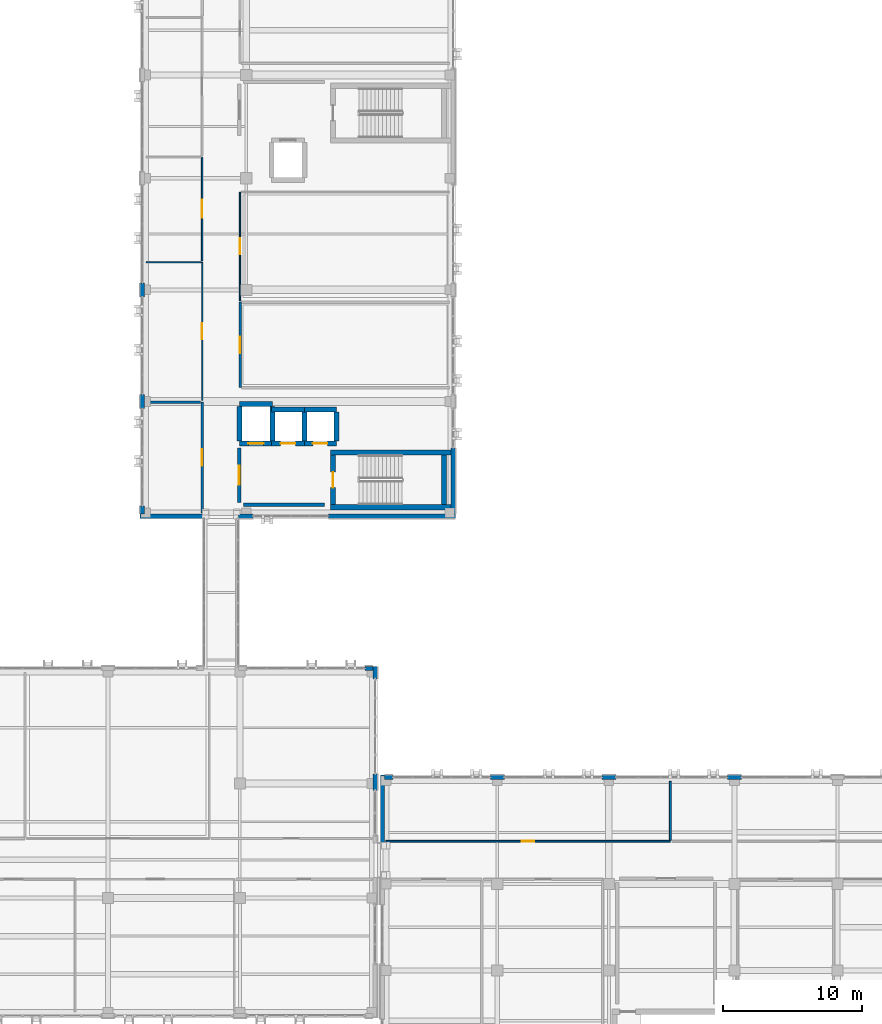
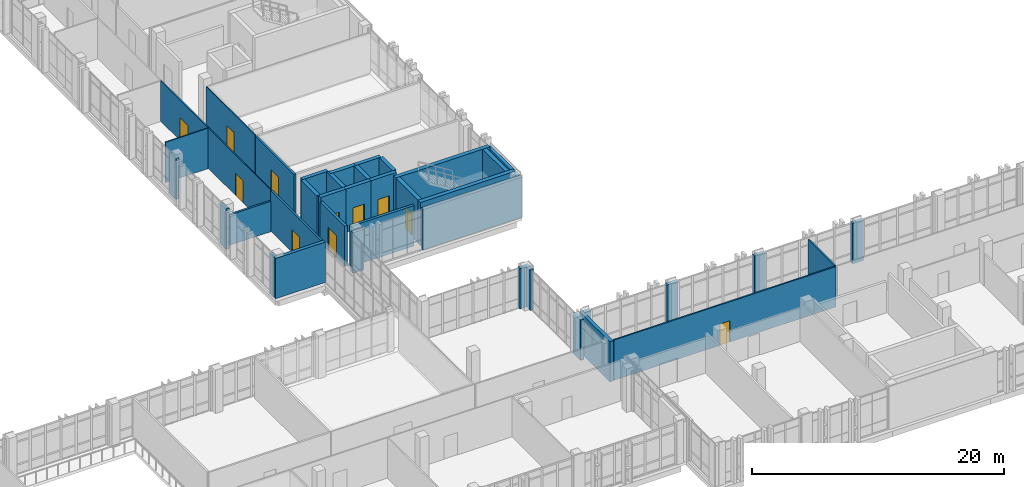
# One storey, part 157 of 193: 40 walls, 11 doors, 11 openings.
"""IFC4 building model written with IfcOpenShell, lengths in metres."""

from ifc_helpers import new_model, si_unit, direction, frame, frame_2d, origin, place, context, subcontext, project, spatial, rectangle, extrude, material, layer, layer_set, type_object, element, fill, save


model = new_model("IFC4")

# Units and contexts
model_context = context("Model", 3, precision=1e-05, world=origin(), true_north=direction((0.0, 1.0)))
body_context = subcontext(model_context, "Body", "Model", "MODEL_VIEW")
ifc_project = project(units=[si_unit("LENGTHUNIT", "METRE"), si_unit("AREAUNIT", "SQUARE_METRE"), si_unit("VOLUMEUNIT", "CUBIC_METRE"), si_unit("PLANEANGLEUNIT", "RADIAN"), si_unit("MASSUNIT", "GRAM", prefix="KILO")], contexts=[model_context])

# Site, building, storey
site_placement = place(None, origin())
site = spatial("IfcSite", under=ifc_project, at=site_placement, CompositionType="ELEMENT")
building_placement = place(site_placement, origin())
building = spatial("IfcBuilding", under=site, at=building_placement, Name="Qalavern Law Courts", CompositionType="ELEMENT")
storey_placement = place(building_placement, frame((0.0, 0.0, 10.199951171875)))
storey = spatial("IfcBuildingStorey", under=building, at=storey_placement, Name="L02", CompositionType="ELEMENT", Elevation=10.199951171875)

# Walls
ifc_material_1 = material(Name="Concrete C40/50", Category="concrete")
ifc_layer_1 = layer(ifc_material_1, 0.31005859375)
ifc_layer_set_1 = layer_set([ifc_layer_1], Name="Concrete C40/50")
wall_type_1 = type_object("IfcWallType", Name="ENV-EW-310", PredefinedType="SOLIDWALL", material=ifc_layer_set_1)
wall_1_placement = place(storey_placement, frame((101.044921875, 21.5, 0.0), z_axis=(0.0, 0.0, 1.0), x_axis=(0.0, 1.0, 0.0)))
element("IfcWall", 1, at=wall_1_placement, inside=storey, type_object=wall_type_1, Name="V2 exterior pier wall L02 east 2", PredefinedType="SOLIDWALL", context=body_context, shape_type="SweptSolid", body=[
    extrude(rectangle(XDim=1.199951171875, YDim=0.31005859375, at=frame_2d((0.60009765625, 0.0))), origin(), (0.0, 0.0, 1.0), 3.9150390625),
])
wall_2_placement = place(storey_placement, frame((101.044921875, 29.5, 0.0), z_axis=(0.0, 0.0, 1.0), x_axis=(0.0, 1.0, 0.0)))
element("IfcWall", 2, at=wall_2_placement, inside=storey, type_object=wall_type_1, Name="V2 exterior pier wall L02 east 3", PredefinedType="SOLIDWALL", context=body_context, shape_type="SweptSolid", body=[
    extrude(rectangle(XDim=0.89990234375, YDim=0.31005859375, at=frame_2d((0.449951171875, 0.0))), origin(), (0.0, 0.0, 1.0), 3.9150390625),
])
wall_3_placement = place(storey_placement, frame((100.89501953125, 30.2451171875, 0.0), z_axis=(0.0, 0.0, 1.0), x_axis=(-1.0, 0.0, 0.0)))
element("IfcWall", 3, at=wall_3_placement, inside=storey, type_object=wall_type_1, Name="V2 exterior pier wall L02 north 1", PredefinedType="SOLIDWALL", context=body_context, shape_type="SweptSolid", body=[
    extrude(rectangle(XDim=0.594970703125, YDim=0.31005859375, at=frame_2d((0.29736328125, 0.0))), origin(), (0.0, 0.0, 1.0), 3.9150390625),
])
wall_4_placement = place(storey_placement, frame((84.199951171875, 41.175048828125, 0.0), z_axis=(0.0, 0.0, 1.0), x_axis=(1.0, 0.0, 0.0)))
element("IfcWall", 4, at=wall_4_placement, inside=storey, type_object=wall_type_1, Name="V4 exterior wall L02 south 1", PredefinedType="SOLIDWALL", context=body_context, shape_type="SweptSolid", body=[
    extrude(rectangle(XDim=4.550048828125, YDim=0.31005859375, at=frame_2d((2.27490234375, 0.0))), origin(), (0.0, 0.0, 1.0), 3.9150390625),
])
wall_5_placement = place(storey_placement, frame((91.25, 41.175048828125, 0.0), z_axis=(0.0, 0.0, 1.0), x_axis=(1.0, 0.0, 0.0)))
element("IfcWall", 5, at=wall_5_placement, inside=storey, type_object=wall_type_1, Name="V4 exterior pier wall L02 south 1", PredefinedType="SOLIDWALL", context=body_context, shape_type="SweptSolid", body=[
    extrude(rectangle(XDim=1.050048828125, YDim=0.31005859375, at=frame_2d((0.52490234375, 0.0))), origin(), (0.0, 0.0, 1.0), 3.9150390625),
])
wall_6_placement = place(storey_placement, frame((97.699951171875, 41.175048828125, 0.0), z_axis=(0.0, 0.0, 1.0), x_axis=(1.0, 0.0, 0.0)))
element("IfcWall", 6, at=wall_6_placement, inside=storey, type_object=wall_type_1, Name="V4 exterior pier wall L02 south 2", PredefinedType="SOLIDWALL", context=body_context, shape_type="SweptSolid", body=[
    extrude(rectangle(XDim=9.10009765625, YDim=0.31005859375, at=frame_2d((4.550048828125, 0.0))), origin(), (0.0, 0.0, 1.0), 3.9150390625),
])
wall_7_placement = place(storey_placement, frame((106.64501953125, 41.324951171875, 0.0), z_axis=(0.0, 0.0, 1.0), x_axis=(0.0, 1.0, 0.0)))
element("IfcWall", 7, at=wall_7_placement, inside=storey, type_object=wall_type_1, Name="V4 exterior pier wall L02 east 1", PredefinedType="SOLIDWALL", context=body_context, shape_type="SweptSolid", body=[
    extrude(rectangle(XDim=4.72509765625, YDim=0.31005859375, at=frame_2d((2.362548828125, 0.0))), origin(), (0.0, 0.0, 1.0), 3.9150390625),
])
for number, where, z_axis, x_axis, name in (
    (8, (84.35498046875, 57.89990234375, 0.0), (0.0, 0.0, 1.0), (0.0, -1.0, 0.0), "V4 exterior pier wall L02 west 5"),
    (9, (84.35498046875, 49.89990234375, 0.0), (0.0, 0.0, 1.0), (0.0, -1.0, 0.0), "V4 exterior pier wall L02 west 6"),
):
    element("IfcWall", number, at=place(storey_placement, frame(where, z_axis=z_axis, x_axis=x_axis)), inside=storey, type_object=wall_type_1, Name=name, PredefinedType="SOLIDWALL", context=body_context, shape_type="SweptSolid", body=[
        extrude(rectangle(XDim=1.0, YDim=0.31005859375, at=frame_2d((0.5, 0.0))), origin(), (0.0, 0.0, 1.0), 3.9150390625),
    ])
wall_8_placement = place(storey_placement, frame((84.35498046875, 41.919921875, 0.0), z_axis=(0.0, 0.0, 1.0), x_axis=(0.0, -1.0, 0.0)))
element("IfcWall", 10, at=wall_8_placement, inside=storey, type_object=wall_type_1, Name="V4 exterior pier wall L02 west 7", PredefinedType="SOLIDWALL", context=body_context, shape_type="SweptSolid", body=[
    extrude(rectangle(XDim=0.594970703125, YDim=0.31005859375, at=frame_2d((0.29736328125, 0.0))), origin(), (0.0, 0.0, 1.0), 3.9150390625),
])
for number, where, z_axis, x_axis, name in (
    (11, (127.300048828125, 22.445068359375, 0.0), (0.0, 0.0, 1.0), (-1.0, 0.0, 0.0), "V6 exterior pier wall L02 north 6"),
    (12, (118.300048828125, 22.445068359375, 0.0), (0.0, 0.0, 1.0), (-1.0, 0.0, 0.0), "V6 exterior pier wall L02 north 7"),
    (13, (110.300048828125, 22.445068359375, 0.0), (0.0, 0.0, 1.0), (-1.0, 0.0, 0.0), "V6 exterior pier wall L02 north 8"),
):
    element("IfcWall", number, at=place(storey_placement, frame(where, z_axis=z_axis, x_axis=x_axis)), inside=storey, type_object=wall_type_1, Name=name, PredefinedType="SOLIDWALL", context=body_context, shape_type="SweptSolid", body=[
        extrude(rectangle(XDim=1.0, YDim=0.31005859375, at=frame_2d((0.5, 0.0))), origin(), (0.0, 0.0, 1.0), 3.9150390625),
    ])
wall_9_placement = place(storey_placement, frame((102.320068359375, 22.445068359375, 0.0), z_axis=(0.0, 0.0, 1.0), x_axis=(-1.0, 0.0, 0.0)))
element("IfcWall", 14, at=wall_9_placement, inside=storey, type_object=wall_type_1, Name="V6 exterior pier wall L02 north 9", PredefinedType="SOLIDWALL", context=body_context, shape_type="SweptSolid", body=[
    extrude(rectangle(XDim=0.594970703125, YDim=0.31005859375, at=frame_2d((0.29736328125, 0.0))), origin(), (0.0, 0.0, 1.0), 3.9150390625),
])
wall_10_placement = place(storey_placement, frame((101.574951171875, 22.60009765625, 0.0), z_axis=(0.0, 0.0, 1.0), x_axis=(0.0, -1.0, 0.0)))
element("IfcWall", 15, at=wall_10_placement, inside=storey, type_object=wall_type_1, Name="V6 exterior wall L02 west 1", PredefinedType="SOLIDWALL", context=body_context, shape_type="SweptSolid", body=[
    extrude(rectangle(XDim=4.85009765625, YDim=0.31005859375, at=frame_2d((2.425048828125, 0.0))), origin(), (0.0, 0.0, 1.0), 3.9150390625),
])
ifc_material_2 = material(Name="Concrete C45/55", Category="concrete")
ifc_layer_2 = layer(ifc_material_2, 0.375)
ifc_layer_set_2 = layer_set([ifc_layer_2], Name="Concrete C45/55")
wall_type_2 = type_object("IfcWallType", Name="INT-CW-375", PredefinedType="SHEAR", material=ifc_layer_set_2)
wall_11_placement = place(storey_placement, frame((97.824951171875, 41.8125, 0.0), z_axis=(0.0, 0.0, 1.0), x_axis=(1.0, 0.0, 0.0)))
element("IfcWall", 16, at=wall_11_placement, inside=storey, type_object=wall_type_2, Name="Core K1A stair shear wall L02 south", PredefinedType="SHEAR", context=body_context, shape_type="SweptSolid", body=[
    extrude(rectangle(XDim=8.662109375, YDim=0.375, at=frame_2d((4.3310546875, 0.0))), origin(), (0.0, 0.0, 1.0), 4.199951171875),
])
wall_12_placement = place(storey_placement, frame((105.987548828125, 42.0, 0.0), z_axis=(0.0, 0.0, 1.0), x_axis=(0.0, 1.0, 0.0)))
element("IfcWall", 17, at=wall_12_placement, inside=storey, type_object=wall_type_2, Name="Core K1A stair shear wall L02 east", PredefinedType="SHEAR", context=body_context, shape_type="SweptSolid", body=[
    extrude(rectangle(XDim=3.550048828125, YDim=0.375, at=frame_2d((1.77490234375, 0.0))), origin(), (0.0, 0.0, 1.0), 4.199951171875),
])
wall_13_placement = place(storey_placement, frame((106.487060546875, 45.737548828125, 0.0), z_axis=(0.0, 0.0, 1.0), x_axis=(-1.0, 0.0, 0.0)))
element("IfcWall", 18, at=wall_13_placement, inside=storey, type_object=wall_type_2, Name="Core K1A stair shear wall L02 north", PredefinedType="SHEAR", context=body_context, shape_type="SweptSolid", body=[
    extrude(rectangle(XDim=8.662109375, YDim=0.375, at=frame_2d((4.3310546875, 0.0))), origin(), (0.0, 0.0, 1.0), 4.199951171875),
])

# Wall, opening, door
wall_14_placement = place(storey_placement, frame((98.012451171875, 45.550048828125, 0.0), z_axis=(0.0, 0.0, 1.0), x_axis=(0.0, -1.0, 0.0)))
wall_14 = element("IfcWall", 19, at=wall_14_placement, inside=storey, type_object=wall_type_2, Name="Core K1A stair shear wall L02 west", PredefinedType="SHEAR", context=body_context, shape_type="SweptSolid", body=[
    extrude(rectangle(XDim=3.550048828125, YDim=0.375, at=frame_2d((1.77490234375, 0.0))), origin(), (0.0, 0.0, 1.0), 4.199951171875),
])
opening_1_placement = place(wall_14_placement, frame((1.22509765625, 0.0, 0.0)))
opening_1 = element("IfcOpeningElement", 20, at=opening_1_placement, cuts=wall_14, Name="Opening L02-D009", PredefinedType="OPENING", context=body_context, shape_type="SweptSolid", body=[
    extrude(rectangle(XDim=1.10009765625, YDim=2.14990234375, at=frame_2d((0.550048828125, 1.074951171875))), frame((0.0, 0.202392578125, 0.0), z_axis=(0.0, -1.0, 0.0), x_axis=(1.0, 0.0, 0.0)), (0.0, 0.0, 1.0), 0.40478515625),
])
ifc_material_3 = material(Name="Steel fire-rated stair enclosure door", Category="steel")
door_type_1 = type_object("IfcDoorType", Name="INT-FD-1100x2150", OperationType="NOTDEFINED", PredefinedType="DOOR", material=ifc_material_3)
door_1_placement = place(opening_1_placement, frame((1.10009765625, 0.0, 0.0), z_axis=(0.0, 0.0, 1.0), x_axis=(-1.0, 0.0, 0.0)))
door_1 = element("IfcDoor", 21, at=door_1_placement, inside=storey, type_object=door_type_1, Name="Stair K1A fire door L02", OperationType="SINGLE_SWING_LEFT", OverallHeight=2.14990234375, OverallWidth=1.10009765625, PredefinedType="DOOR", context=body_context, shape_type="SweptSolid", body=[
    extrude(rectangle(XDim=1.10009765625, YDim=2.14990234375, at=frame_2d((0.550048828125, 1.074951171875))), frame((0.0, 0.02490234375, 0.0), z_axis=(0.0, -1.0, 0.0), x_axis=(1.0, 0.0, 0.0)), (0.0, 0.0, 1.0), 0.050048828125),
])
fill(opening_1, door_1)

ifc_layer_3 = layer(ifc_material_1, 0.2451171875)
ifc_layer_set_3 = layer_set([ifc_layer_3], Name="Concrete C40/50")
wall_type_3 = type_object("IfcWallType", Name="INT-FW-245", PredefinedType="PARTITIONING", material=ifc_layer_set_3)
wall_15_placement = place(storey_placement, frame((91.300048828125, 42.14990234375, 0.0), z_axis=(0.0, 0.0, 1.0), x_axis=(0.0, 1.0, 0.0)))
wall_15 = element("IfcWall", 22, at=wall_15_placement, inside=storey, type_object=wall_type_3, Name="Core K1A firefighting/stair lobby fire wall L02", PredefinedType="PARTITIONING", context=body_context, shape_type="SweptSolid", body=[
    extrude(rectangle(XDim=3.900146484375, YDim=0.2451171875, at=frame_2d((1.9501953125, 0.0))), origin(), (0.0, 0.0, 1.0), 3.9150390625),
])
opening_2_placement = place(wall_15_placement, frame((1.27490234375, 0.0, 0.0)))
opening_2 = element("IfcOpeningElement", 23, at=opening_2_placement, cuts=wall_15, Name="Opening L02-D010", PredefinedType="OPENING", context=body_context, shape_type="SweptSolid", body=[
    extrude(rectangle(XDim=1.35009765625, YDim=2.199951171875, at=frame_2d((0.675048828125, 1.10009765625))), frame((0.0, 0.137451171875, 0.0), z_axis=(0.0, -1.0, 0.0), x_axis=(1.0, 0.0, 0.0)), (0.0, 0.0, 1.0), 0.27490234375),
])
ifc_material_4 = material(Name="Steel fire-rated frame and acoustic timber leaves", Category="steel")
door_type_2 = type_object("IfcDoorType", Name="INT-FD-1350x2200", OperationType="DOUBLE_DOOR_SINGLE_SWING", PredefinedType="DOOR", material=ifc_material_4)
door_2_placement = place(opening_2_placement, origin())
door_2 = element("IfcDoor", 24, at=door_2_placement, inside=storey, type_object=door_type_2, Name="Core K1A lobby fire door L02", OperationType="DOUBLE_DOOR_SINGLE_SWING", OverallHeight=2.199951171875, OverallWidth=1.35009765625, PredefinedType="DOOR", context=body_context, shape_type="SweptSolid", body=[
    extrude(rectangle(XDim=1.35009765625, YDim=2.199951171875, at=frame_2d((0.675048828125, 1.10009765625))), frame((0.0, 0.02490234375, 0.0), z_axis=(0.0, -1.0, 0.0), x_axis=(1.0, 0.0, 0.0)), (0.0, 0.0, 1.0), 0.050048828125),
])
fill(opening_2, door_2)

# Wall
wall_16_placement = place(storey_placement, frame((91.60009765625, 42.0, 0.0), z_axis=(0.0, 0.0, 1.0), x_axis=(1.0, 0.0, 0.0)))
element("IfcWall", 25, at=wall_16_placement, inside=storey, type_object=wall_type_3, Name="Core K1A lobby return wall L02 south", PredefinedType="PARTITIONING", context=body_context, shape_type="SweptSolid", body=[
    extrude(rectangle(XDim=5.7998046875, YDim=0.2451171875, at=frame_2d((2.89990234375, 0.0))), origin(), (0.0, 0.0, 1.0), 3.9150390625),
])

# Wall, opening, door
ifc_material_5 = material(Name="Gypsum shaft/chase partition")
ifc_layer_4 = layer(ifc_material_5, 0.092041015625)
ifc_layer_set_4 = layer_set([ifc_layer_4], Name="Gypsum shaft/chase partition")
wall_type_4 = type_object("IfcWallType", Name="INT-PW-092", PredefinedType="PARTITIONING", material=ifc_layer_set_4)
wall_17_placement = place(storey_placement, frame((88.639892578125, 49.47509765625, 0.0), z_axis=(0.0, 0.0, 1.0), x_axis=(0.0, 1.0, 0.0)))
wall_17 = element("IfcWall", 26, at=wall_17_placement, inside=storey, type_object=wall_type_4, Name="Civil Courtroom corridor partition L02", PredefinedType="PARTITIONING", context=body_context, shape_type="SweptSolid", body=[
    extrude(rectangle(XDim=9.89697265625, YDim=0.092041015625, at=frame_2d((4.948486328125, 0.0))), origin(), (0.0, 0.0, 1.0), 3.9150390625),
])
opening_3_placement = place(wall_17_placement, frame((4.37353515625, 0.0, 0.0)))
opening_3 = element("IfcOpeningElement", 27, at=opening_3_placement, cuts=wall_17, Name="Opening L02-D270", PredefinedType="OPENING", context=body_context, shape_type="SweptSolid", body=[
    extrude(rectangle(XDim=1.14990234375, YDim=2.14990234375, at=frame_2d((0.574951171875, 1.074951171875))), frame((0.0, 0.06103515625, 0.0), z_axis=(0.0, -1.0, 0.0), x_axis=(1.0, 0.0, 0.0)), (0.0, 0.0, 1.0), 0.121826171875),
])
ifc_material_6 = material(Name="Acoustic oak Witness Waiting door")
door_type_3 = type_object("IfcDoorType", Name="INT-ID-1150x2150", OperationType="NOTDEFINED", PredefinedType="DOOR", material=ifc_material_6)
door_3_placement = place(opening_3_placement, frame((1.14990234375, 0.0, 0.0), z_axis=(0.0, 0.0, 1.0), x_axis=(-1.0, 0.0, 0.0)))
door_3 = element("IfcDoor", 28, at=door_3_placement, inside=storey, type_object=door_type_3, Name="Civil Courtroom door L02", OperationType="SINGLE_SWING_LEFT", OverallHeight=2.14990234375, OverallWidth=1.14990234375, PredefinedType="DOOR", context=body_context, shape_type="SweptSolid", body=[
    extrude(rectangle(XDim=1.14990234375, YDim=2.14990234375, at=frame_2d((0.574951171875, 1.074951171875))), frame((0.0, 0.02490234375, 0.0), z_axis=(0.0, -1.0, 0.0), x_axis=(1.0, 0.0, 0.0)), (0.0, 0.0, 1.0), 0.050048828125),
])
fill(opening_3, door_3)

# Wall
wall_18_placement = place(storey_placement, frame((84.639892578125, 59.3720703125, 0.0), z_axis=(0.0, 0.0, 1.0), x_axis=(1.0, 0.0, 0.0)))
element("IfcWall", 29, at=wall_18_placement, inside=storey, type_object=wall_type_4, Name="Civil Courtroom cross partition L02 north", PredefinedType="PARTITIONING", context=body_context, shape_type="SweptSolid", body=[
    extrude(rectangle(XDim=3.93408203125, YDim=0.092041015625, at=frame_2d((1.967041015625, 0.0))), origin(), (0.0, 0.0, 1.0), 3.9150390625),
])

# Wall, opening, door
wall_19_placement = place(storey_placement, frame((91.360107421875, 56.635009765625, 0.0), z_axis=(0.0, 0.0, 1.0), x_axis=(0.0, 1.0, 0.0)))
wall_19 = element("IfcWall", 30, at=wall_19_placement, inside=storey, type_object=wall_type_4, Name="Civil Courtroom corridor partition L02", PredefinedType="PARTITIONING", context=body_context, shape_type="SweptSolid", body=[
    extrude(rectangle(XDim=7.77490234375, YDim=0.092041015625, at=frame_2d((3.887451171875, 0.0))), origin(), (0.0, 0.0, 1.0), 3.9150390625),
])
opening_4_placement = place(wall_19_placement, frame((3.3125, 0.0, 0.0)))
opening_4 = element("IfcOpeningElement", 31, at=opening_4_placement, cuts=wall_19, Name="Opening L02-D275", PredefinedType="OPENING", context=body_context, shape_type="SweptSolid", body=[
    extrude(rectangle(XDim=1.14990234375, YDim=2.14990234375, at=frame_2d((0.574951171875, 1.074951171875))), frame((0.0, 0.06103515625, 0.0), z_axis=(0.0, -1.0, 0.0), x_axis=(1.0, 0.0, 0.0)), (0.0, 0.0, 1.0), 0.121826171875),
])
door_4_placement = place(opening_4_placement, origin())
door_4 = element("IfcDoor", 32, at=door_4_placement, inside=storey, type_object=door_type_3, Name="Civil Courtroom door L02", OperationType="SINGLE_SWING_RIGHT", OverallHeight=2.14990234375, OverallWidth=1.14990234375, PredefinedType="DOOR", context=body_context, shape_type="SweptSolid", body=[
    extrude(rectangle(XDim=1.14990234375, YDim=2.14990234375, at=frame_2d((0.574951171875, 1.074951171875))), frame((0.0, 0.02490234375, 0.0), z_axis=(0.0, -1.0, 0.0), x_axis=(1.0, 0.0, 0.0)), (0.0, 0.0, 1.0), 0.050048828125),
])
fill(opening_4, door_4)

ifc_material_7 = material(Name="Gypsum stud partition")
ifc_layer_5 = layer(ifc_material_7, 0.112060546875)
ifc_layer_set_5 = layer_set([ifc_layer_5], Name="Gypsum stud partition")
wall_type_5 = type_object("IfcWallType", Name="INT-PW-112", PredefinedType="PARTITIONING", material=ifc_layer_set_5)
wall_20_placement = place(storey_placement, frame((88.639892578125, 59.491943359375, 0.0), z_axis=(0.0, 0.0, 1.0), x_axis=(0.0, 1.0, 0.0)))
wall_20 = element("IfcWall", 33, at=wall_20_placement, inside=storey, type_object=wall_type_5, Name="Jury Deliberation Suite corridor partition L02", PredefinedType="PARTITIONING", context=body_context, shape_type="SweptSolid", body=[
    extrude(rectangle(XDim=7.423095703125, YDim=0.112060546875, at=frame_2d((3.71142578125, 0.0))), origin(), (0.0, 0.0, 1.0), 3.9150390625),
])
opening_5_placement = place(wall_20_placement, frame((3.071533203125, 0.0, 0.0)))
opening_5 = element("IfcOpeningElement", 34, at=opening_5_placement, cuts=wall_20, Name="Opening L02-D271", PredefinedType="OPENING", context=body_context, shape_type="SweptSolid", body=[
    extrude(rectangle(XDim=1.280029296875, YDim=2.179931640625, at=frame_2d((0.64013671875, 1.08984375))), frame((0.0, 0.07080078125, 0.0), z_axis=(0.0, -1.0, 0.0), x_axis=(1.0, 0.0, 0.0)), (0.0, 0.0, 1.0), 0.141845703125),
])
ifc_material_8 = material(Name="Wide oak Judicial Conference door")
door_type_4 = type_object("IfcDoorType", Name="INT-ID-1280x2180", OperationType="NOTDEFINED", PredefinedType="DOOR", material=ifc_material_8)
door_5_placement = place(opening_5_placement, frame((1.280029296875, 0.0, 0.0), z_axis=(0.0, 0.0, 1.0), x_axis=(-1.0, 0.0, 0.0)))
door_5 = element("IfcDoor", 35, at=door_5_placement, inside=storey, type_object=door_type_4, Name="Jury Deliberation Suite door L02", OperationType="SINGLE_SWING_RIGHT", OverallHeight=2.179931640625, OverallWidth=1.280029296875, PredefinedType="DOOR", context=body_context, shape_type="SweptSolid", body=[
    extrude(rectangle(XDim=1.280029296875, YDim=2.179931640625, at=frame_2d((0.64013671875, 1.08984375))), frame((0.0, 0.02490234375, 0.0), z_axis=(0.0, -1.0, 0.0), x_axis=(1.0, 0.0, 0.0)), (0.0, 0.0, 1.0), 0.050048828125),
])
fill(opening_5, door_5)

ifc_layer_6 = layer(ifc_material_7, 0.132080078125)
ifc_layer_set_6 = layer_set([ifc_layer_6], Name="Gypsum stud partition")
wall_type_6 = type_object("IfcWallType", Name="INT-PW-132", PredefinedType="PARTITIONING", material=ifc_layer_set_6)
wall_21_placement = place(storey_placement, frame((101.800048828125, 17.860107421875, 0.0), z_axis=(0.0, 0.0, 1.0), x_axis=(1.0, 0.0, 0.0)))
wall_21 = element("IfcWall", 36, at=wall_21_placement, inside=storey, type_object=wall_type_6, Name="Accessible WC corridor partition L02", PredefinedType="PARTITIONING", context=body_context, shape_type="SweptSolid", body=[
    extrude(rectangle(XDim=20.407958984375, YDim=0.132080078125, at=frame_2d((10.2041015625, 0.0))), origin(), (0.0, 0.0, 1.0), 3.9150390625),
])
opening_6_placement = place(wall_21_placement, frame((9.743896484375, 0.0, 0.0)))
opening_6 = element("IfcOpeningElement", 37, at=opening_6_placement, cuts=wall_21, Name="Opening L02-D438", PredefinedType="OPENING", context=body_context, shape_type="SweptSolid", body=[
    extrude(rectangle(XDim=0.919921875, YDim=2.06005859375, at=frame_2d((0.4599609375, 1.030029296875))), frame((0.0, 0.0810546875, 0.0), z_axis=(0.0, -1.0, 0.0), x_axis=(1.0, 0.0, 0.0)), (0.0, 0.0, 1.0), 0.161865234375),
])
ifc_material_9 = material(Name="Public and Staff WC door")
door_type_5 = type_object("IfcDoorType", Name="INT-ID-920x2060", OperationType="NOTDEFINED", PredefinedType="DOOR", material=ifc_material_9)
door_6_placement = place(opening_6_placement, origin())
door_6 = element("IfcDoor", 38, at=door_6_placement, inside=storey, type_object=door_type_5, Name="Accessible WC door L02", OperationType="SINGLE_SWING_LEFT", OverallHeight=2.06005859375, OverallWidth=0.919921875, PredefinedType="DOOR", context=body_context, shape_type="SweptSolid", body=[
    extrude(rectangle(XDim=0.919921875, YDim=2.06005859375, at=frame_2d((0.4599609375, 1.030029296875))), frame((0.0, 0.02490234375, 0.0), z_axis=(0.0, -1.0, 0.0), x_axis=(1.0, 0.0, 0.0)), (0.0, 0.0, 1.0), 0.050048828125),
])
fill(opening_6, door_6)

# Wall
wall_22_placement = place(storey_placement, frame((122.2080078125, 17.946044921875, 0.0), z_axis=(0.0, 0.0, 1.0), x_axis=(0.0, 1.0, 0.0)))
element("IfcWall", 39, at=wall_22_placement, inside=storey, type_object=wall_type_6, Name="Accessible WC cross partition L02 east", PredefinedType="PARTITIONING", context=body_context, shape_type="SweptSolid", body=[
    extrude(rectangle(XDim=4.2138671875, YDim=0.132080078125, at=frame_2d((2.10693359375, 0.0))), origin(), (0.0, 0.0, 1.0), 3.9150390625),
])

# Wall, opening, door
ifc_material_10 = material(Name="Gypsum acoustic stud partition")
ifc_layer_7 = layer(ifc_material_10, 0.174072265625)
ifc_layer_set_7 = layer_set([ifc_layer_7], Name="Gypsum acoustic stud partition")
wall_type_7 = type_object("IfcWallType", Name="INT-PW-174", PredefinedType="PARTITIONING", material=ifc_layer_set_7)
wall_23_placement = place(storey_placement, frame((88.639892578125, 41.39990234375, 0.0), z_axis=(0.0, 0.0, 1.0), x_axis=(0.0, 1.0, 0.0)))
wall_23 = element("IfcWall", 40, at=wall_23_placement, inside=storey, type_object=wall_type_7, Name="Civil Courtroom corridor partition L02", PredefinedType="PARTITIONING", context=body_context, shape_type="SweptSolid", body=[
    extrude(rectangle(XDim=7.955078125, YDim=0.174072265625, at=frame_2d((3.9775390625, 0.0))), origin(), (0.0, 0.0, 1.0), 3.9150390625),
])
opening_7_placement = place(wall_23_placement, frame((3.387451171875, 0.0, 0.0)))
opening_7 = element("IfcOpeningElement", 41, at=opening_7_placement, cuts=wall_23, Name="Opening L02-D269", PredefinedType="OPENING", context=body_context, shape_type="SweptSolid", body=[
    extrude(rectangle(XDim=1.179931640625, YDim=2.159912109375, at=frame_2d((0.58984375, 1.080078125))), frame((0.0, 0.10205078125, 0.0), z_axis=(0.0, -1.0, 0.0), x_axis=(1.0, 0.0, 0.0)), (0.0, 0.0, 1.0), 0.203857421875),
])
ifc_material_11 = material(Name="Acoustic oak Jury Deliberation door")
door_type_6 = type_object("IfcDoorType", Name="INT-ID-1180x2160", OperationType="NOTDEFINED", PredefinedType="DOOR", material=ifc_material_11)
door_7_placement = place(opening_7_placement, frame((1.179931640625, 0.0, 0.0), z_axis=(0.0, 0.0, 1.0), x_axis=(-1.0, 0.0, 0.0)))
door_7 = element("IfcDoor", 42, at=door_7_placement, inside=storey, type_object=door_type_6, Name="Civil Courtroom door L02", OperationType="SINGLE_SWING_RIGHT", OverallHeight=2.159912109375, OverallWidth=1.179931640625, PredefinedType="DOOR", context=body_context, shape_type="SweptSolid", body=[
    extrude(rectangle(XDim=1.179931640625, YDim=2.159912109375, at=frame_2d((0.58984375, 1.080078125))), frame((0.0, 0.02490234375, 0.0), z_axis=(0.0, -1.0, 0.0), x_axis=(1.0, 0.0, 0.0)), (0.0, 0.0, 1.0), 0.050048828125),
])
fill(opening_7, door_7)

# Wall
wall_24_placement = place(storey_placement, frame((84.639892578125, 49.35498046875, 0.0), z_axis=(0.0, 0.0, 1.0), x_axis=(1.0, 0.0, 0.0)))
element("IfcWall", 43, at=wall_24_placement, inside=storey, type_object=wall_type_7, Name="Civil Courtroom cross partition L02 north", PredefinedType="PARTITIONING", context=body_context, shape_type="SweptSolid", body=[
    extrude(rectangle(XDim=3.89306640625, YDim=0.174072265625, at=frame_2d((1.946533203125, 0.0))), origin(), (0.0, 0.0, 1.0), 2.945068359375),
])

# Wall, opening, door
wall_25_placement = place(storey_placement, frame((91.360107421875, 50.389892578125, 0.0), z_axis=(0.0, 0.0, 1.0), x_axis=(0.0, 1.0, 0.0)))
wall_25 = element("IfcWall", 44, at=wall_25_placement, inside=storey, type_object=wall_type_7, Name="Civil Courtroom corridor partition L02", PredefinedType="PARTITIONING", context=body_context, shape_type="SweptSolid", body=[
    extrude(rectangle(XDim=6.125, YDim=0.174072265625, at=frame_2d((3.0625, 0.0))), origin(), (0.0, 0.0, 1.0), 3.9150390625),
])
opening_8_placement = place(wall_25_placement, frame((2.472412109375, 0.0, 0.0)))
opening_8 = element("IfcOpeningElement", 45, at=opening_8_placement, cuts=wall_25, Name="Opening L02-D274", PredefinedType="OPENING", context=body_context, shape_type="SweptSolid", body=[
    extrude(rectangle(XDim=1.179931640625, YDim=2.159912109375, at=frame_2d((0.58984375, 1.080078125))), frame((0.0, 0.10205078125, 0.0), z_axis=(0.0, -1.0, 0.0), x_axis=(1.0, 0.0, 0.0)), (0.0, 0.0, 1.0), 0.203857421875),
])
door_8_placement = place(opening_8_placement, origin())
door_8 = element("IfcDoor", 46, at=door_8_placement, inside=storey, type_object=door_type_6, Name="Civil Courtroom door L02", OperationType="SINGLE_SWING_LEFT", OverallHeight=2.159912109375, OverallWidth=1.179931640625, PredefinedType="DOOR", context=body_context, shape_type="SweptSolid", body=[
    extrude(rectangle(XDim=1.179931640625, YDim=2.159912109375, at=frame_2d((0.58984375, 1.080078125))), frame((0.0, 0.02490234375, 0.0), z_axis=(0.0, -1.0, 0.0), x_axis=(1.0, 0.0, 0.0)), (0.0, 0.0, 1.0), 0.050048828125),
])
fill(opening_8, door_8)

ifc_layer_8 = layer(ifc_material_2, 0.344970703125)
ifc_layer_set_8 = layer_set([ifc_layer_8], Name="Concrete C45/55")
wall_type_8 = type_object("IfcWallType", Name="INT-SW-345", PredefinedType="SHEAR", material=ifc_layer_set_8)
wall_26_placement = place(storey_placement, frame((91.327392578125, 46.37744140625, 0.0), z_axis=(0.0, 0.0, 1.0), x_axis=(1.0, 0.0, 0.0)))
wall_26 = element("IfcWall", 47, at=wall_26_placement, inside=storey, type_object=wall_type_8, Name="Lift LF-FF1 shaft wall L02 south", PredefinedType="SHEAR", context=body_context, shape_type="SweptSolid", body=[
    extrude(rectangle(XDim=2.34521484375, YDim=0.344970703125, at=frame_2d((1.172607421875, 0.0))), origin(), (0.0, 0.0, 1.0), 4.199951171875),
])
opening_9_placement = place(wall_26_placement, frame((0.62255859375, 0.0, 0.0)))
opening_9 = element("IfcOpeningElement", 48, at=opening_9_placement, cuts=wall_26, Name="Opening LD-LF-FF1-L02", PredefinedType="OPENING", context=body_context, shape_type="SweptSolid", body=[
    extrude(rectangle(XDim=1.10009765625, YDim=2.159912109375, at=frame_2d((0.550048828125, 1.080078125))), frame((0.0, 0.1875, 0.0), z_axis=(0.0, -1.0, 0.0), x_axis=(1.0, 0.0, 0.0)), (0.0, 0.0, 1.0), 0.374755859375),
])
ifc_material_12 = material(Name="Stainless steel firefighting lift sliding landing door", Category="steel")
door_type_7 = type_object("IfcDoorType", Name="INT-LD-1100x2160", OperationType="DOUBLE_DOOR_SLIDING", PredefinedType="DOOR", material=ifc_material_12)
door_9_placement = place(opening_9_placement, origin())
door_9 = element("IfcDoor", 49, at=door_9_placement, inside=storey, type_object=door_type_7, Name="Lift LF-FF1 sliding landing door L02", OperationType="DOUBLE_DOOR_SLIDING", OverallHeight=2.159912109375, OverallWidth=1.10009765625, PredefinedType="DOOR", context=body_context, shape_type="SweptSolid", body=[
    extrude(rectangle(XDim=1.10009765625, YDim=2.159912109375, at=frame_2d((0.550048828125, 1.080078125))), frame((0.0, 0.02490234375, 0.0), z_axis=(0.0, -1.0, 0.0), x_axis=(1.0, 0.0, 0.0)), (0.0, 0.0, 1.0), 0.050048828125),
])
fill(opening_9, door_9)

# Walls
wall_27_placement = place(storey_placement, frame((93.672607421875, 46.550048828125, 0.0), z_axis=(0.0, 0.0, 1.0), x_axis=(0.0, 1.0, 0.0)))
element("IfcWall", 50, at=wall_27_placement, inside=storey, type_object=wall_type_8, Name="Lift LF-FF1 shaft wall L02 east", PredefinedType="SHEAR", context=body_context, shape_type="SweptSolid", body=[
    extrude(rectangle(XDim=2.5, YDim=0.344970703125, at=frame_2d((1.25, 0.0))), origin(), (0.0, 0.0, 1.0), 4.199951171875),
])
wall_28_placement = place(storey_placement, frame((93.672607421875, 49.222412109375, 0.0), z_axis=(0.0, 0.0, 1.0), x_axis=(-1.0, 0.0, 0.0)))
element("IfcWall", 51, at=wall_28_placement, inside=storey, type_object=wall_type_8, Name="Lift LF-FF1 shaft wall L02 north", PredefinedType="SHEAR", context=body_context, shape_type="SweptSolid", body=[
    extrude(rectangle(XDim=2.34521484375, YDim=0.344970703125, at=frame_2d((1.172607421875, 0.0))), origin(), (0.0, 0.0, 1.0), 4.199951171875),
])
wall_29_placement = place(storey_placement, frame((91.327392578125, 49.050048828125, 0.0), z_axis=(0.0, 0.0, 1.0), x_axis=(0.0, -1.0, 0.0)))
element("IfcWall", 52, at=wall_29_placement, inside=storey, type_object=wall_type_8, Name="Lift LF-FF1 shaft wall L02 west", PredefinedType="SHEAR", context=body_context, shape_type="SweptSolid", body=[
    extrude(rectangle(XDim=2.5, YDim=0.344970703125, at=frame_2d((1.25, 0.0))), origin(), (0.0, 0.0, 1.0), 4.199951171875),
])

# Wall, opening, door
wall_30_placement = place(storey_placement, frame((93.62744140625, 46.37744140625, 0.0), z_axis=(0.0, 0.0, 1.0), x_axis=(1.0, 0.0, 0.0)))
wall_30 = element("IfcWall", 53, at=wall_30_placement, inside=storey, type_object=wall_type_8, Name="Lift LF-P1 shaft wall L02 south", PredefinedType="SHEAR", context=body_context, shape_type="SweptSolid", body=[
    extrude(rectangle(XDim=2.344970703125, YDim=0.344970703125, at=frame_2d((1.17236328125, 0.0))), origin(), (0.0, 0.0, 1.0), 4.199951171875),
])
opening_10_placement = place(wall_30_placement, frame((0.6474609375, 0.0, 0.0)))
opening_10 = element("IfcOpeningElement", 54, at=opening_10_placement, cuts=wall_30, Name="Opening LD-LF-P1-L02", PredefinedType="OPENING", context=body_context, shape_type="SweptSolid", body=[
    extrude(rectangle(XDim=1.050048828125, YDim=2.14990234375, at=frame_2d((0.52490234375, 1.074951171875))), frame((0.0, 0.1875, 0.0), z_axis=(0.0, -1.0, 0.0), x_axis=(1.0, 0.0, 0.0)), (0.0, 0.0, 1.0), 0.374755859375),
])
ifc_material_13 = material(Name="Brushed stainless steel passenger lift sliding landing door", Category="steel")
door_type_8 = type_object("IfcDoorType", Name="INT-LD-1050x2150", OperationType="DOUBLE_DOOR_SLIDING", PredefinedType="DOOR", material=ifc_material_13)
door_10_placement = place(opening_10_placement, origin())
door_10 = element("IfcDoor", 55, at=door_10_placement, inside=storey, type_object=door_type_8, Name="Lift LF-P1 sliding landing door L02", OperationType="DOUBLE_DOOR_SLIDING", OverallHeight=2.14990234375, OverallWidth=1.050048828125, PredefinedType="DOOR", context=body_context, shape_type="SweptSolid", body=[
    extrude(rectangle(XDim=1.050048828125, YDim=2.14990234375, at=frame_2d((0.52490234375, 1.074951171875))), frame((0.0, 0.02490234375, 0.0), z_axis=(0.0, -1.0, 0.0), x_axis=(1.0, 0.0, 0.0)), (0.0, 0.0, 1.0), 0.050048828125),
])
fill(opening_10, door_10)

# Walls
wall_31_placement = place(storey_placement, frame((95.972412109375, 46.550048828125, 0.0), z_axis=(0.0, 0.0, 1.0), x_axis=(0.0, 1.0, 0.0)))
element("IfcWall", 56, at=wall_31_placement, inside=storey, type_object=wall_type_8, Name="Lift LF-P1 shaft wall L02 east", PredefinedType="SHEAR", context=body_context, shape_type="SweptSolid", body=[
    extrude(rectangle(XDim=2.099853515625, YDim=0.344970703125, at=frame_2d((1.0498046875, 0.0))), origin(), (0.0, 0.0, 1.0), 4.199951171875),
])
wall_32_placement = place(storey_placement, frame((95.972412109375, 48.822509765625, 0.0), z_axis=(0.0, 0.0, 1.0), x_axis=(-1.0, 0.0, 0.0)))
element("IfcWall", 57, at=wall_32_placement, inside=storey, type_object=wall_type_8, Name="Lift LF-P1 shaft wall L02 north", PredefinedType="SHEAR", context=body_context, shape_type="SweptSolid", body=[
    extrude(rectangle(XDim=2.344970703125, YDim=0.344970703125, at=frame_2d((1.17236328125, 0.0))), origin(), (0.0, 0.0, 1.0), 4.199951171875),
])

# Wall, opening, door
wall_33_placement = place(storey_placement, frame((95.927490234375, 46.37744140625, 0.0), z_axis=(0.0, 0.0, 1.0), x_axis=(1.0, 0.0, 0.0)))
wall_33 = element("IfcWall", 58, at=wall_33_placement, inside=storey, type_object=wall_type_8, Name="Lift LF-P2 shaft wall L02 south", PredefinedType="SHEAR", context=body_context, shape_type="SweptSolid", body=[
    extrude(rectangle(XDim=2.344970703125, YDim=0.344970703125, at=frame_2d((1.17236328125, 0.0))), origin(), (0.0, 0.0, 1.0), 4.199951171875),
])
opening_11_placement = place(wall_33_placement, frame((0.6474609375, 0.0, 0.0)))
opening_11 = element("IfcOpeningElement", 59, at=opening_11_placement, cuts=wall_33, Name="Opening LD-LF-P2-L02", PredefinedType="OPENING", context=body_context, shape_type="SweptSolid", body=[
    extrude(rectangle(XDim=1.050048828125, YDim=2.14990234375, at=frame_2d((0.52490234375, 1.074951171875))), frame((0.0, 0.1875, 0.0), z_axis=(0.0, -1.0, 0.0), x_axis=(1.0, 0.0, 0.0)), (0.0, 0.0, 1.0), 0.374755859375),
])
door_11_placement = place(opening_11_placement, origin())
door_11 = element("IfcDoor", 60, at=door_11_placement, inside=storey, type_object=door_type_8, Name="Lift LF-P2 sliding landing door L02", OperationType="DOUBLE_DOOR_SLIDING", OverallHeight=2.14990234375, OverallWidth=1.050048828125, PredefinedType="DOOR", context=body_context, shape_type="SweptSolid", body=[
    extrude(rectangle(XDim=1.050048828125, YDim=2.14990234375, at=frame_2d((0.52490234375, 1.074951171875))), frame((0.0, 0.02490234375, 0.0), z_axis=(0.0, -1.0, 0.0), x_axis=(1.0, 0.0, 0.0)), (0.0, 0.0, 1.0), 0.050048828125),
])
fill(opening_11, door_11)

# Walls
wall_34_placement = place(storey_placement, frame((98.2724609375, 46.550048828125, 0.0), z_axis=(0.0, 0.0, 1.0), x_axis=(0.0, 1.0, 0.0)))
element("IfcWall", 61, at=wall_34_placement, inside=storey, type_object=wall_type_8, Name="Lift LF-P2 shaft wall L02 east", PredefinedType="SHEAR", context=body_context, shape_type="SweptSolid", body=[
    extrude(rectangle(XDim=2.099853515625, YDim=0.344970703125, at=frame_2d((1.0498046875, 0.0))), origin(), (0.0, 0.0, 1.0), 4.199951171875),
])
wall_35_placement = place(storey_placement, frame((98.2724609375, 48.822509765625, 0.0), z_axis=(0.0, 0.0, 1.0), x_axis=(-1.0, 0.0, 0.0)))
element("IfcWall", 62, at=wall_35_placement, inside=storey, type_object=wall_type_8, Name="Lift LF-P2 shaft wall L02 north", PredefinedType="SHEAR", context=body_context, shape_type="SweptSolid", body=[
    extrude(rectangle(XDim=2.344970703125, YDim=0.344970703125, at=frame_2d((1.17236328125, 0.0))), origin(), (0.0, 0.0, 1.0), 4.199951171875),
])

save(model, "model.ifc")
